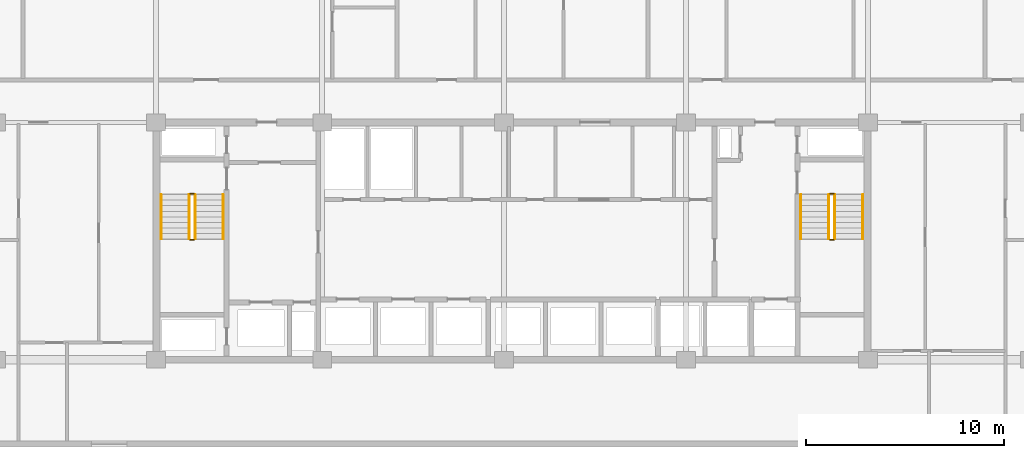
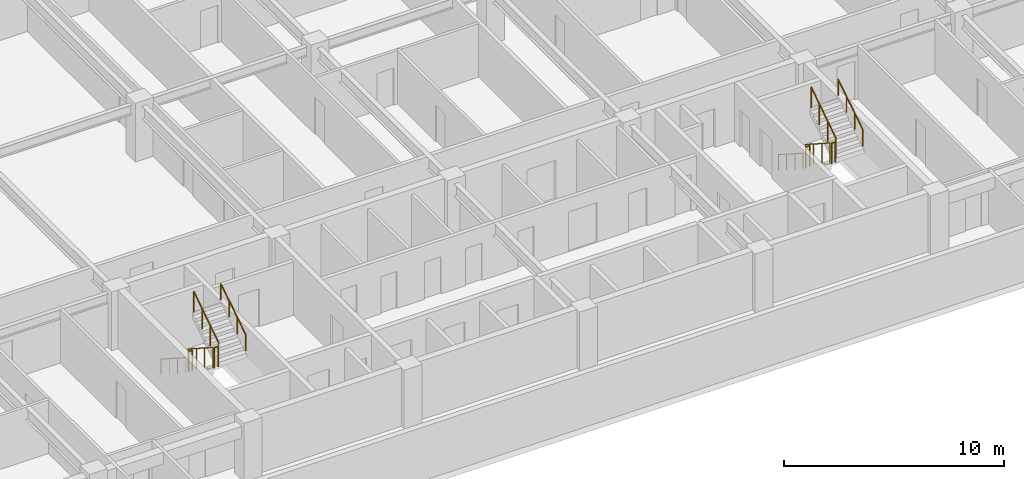
# One storey, part 21 of 22: 12 railings.
"""IFC4 building model written with IfcOpenShell, lengths in metres."""

from ifc_helpers import new_model, si_unit, direction, frame, origin, origin_2d, place, context, subcontext, project, spatial, circle, extrude, material, type_object, element, save


model = new_model("IFC4")

# Units and contexts
model_context = context("Model", 3, precision=1e-05, world=origin(), true_north=direction((0.0, 1.0)))
body_context = subcontext(model_context, "Body", "Model", "MODEL_VIEW")
ifc_project = project(units=[si_unit("LENGTHUNIT", "METRE"), si_unit("AREAUNIT", "SQUARE_METRE"), si_unit("VOLUMEUNIT", "CUBIC_METRE"), si_unit("PLANEANGLEUNIT", "RADIAN"), si_unit("MASSUNIT", "GRAM", prefix="KILO")], contexts=[model_context])

# Site, building, storey
site_placement = place(None, origin())
site = spatial("IfcSite", under=ifc_project, at=site_placement, CompositionType="ELEMENT")
building_placement = place(site_placement, origin())
building = spatial("IfcBuilding", under=site, at=building_placement, Name="Korimba Cascade Residences", CompositionType="ELEMENT")
storey_placement = place(building_placement, frame((0.0, 0.0, 80.800048828125)))
storey = spatial("IfcBuildingStorey", under=building, at=storey_placement, Name="L22", CompositionType="ELEMENT", Elevation=80.800048828125)

# Railings
ifc_material_1 = material(Name="Painted Steel Stairwell Guardrail", Category="steel")
railing_type_1 = type_object("IfcRailingType", Name="RLG-ST-GD1150", PredefinedType="GUARDRAIL", material=ifc_material_1)
railing_1_placement = place(storey_placement, frame((77.77001953125, 63.550048828125, 0.180419921875)))
element("IfcRailing", 1, at=railing_1_placement, inside=storey, type_object=railing_type_1, Name="L22 ST-W1 stair guard 1", PredefinedType="GUARDRAIL", context=body_context, shape_type="SweptSolid", body=[
    extrude(circle(Radius=0.02392578125, at=origin_2d()), frame((0.0, 0.0, 1.1259765625), z_axis=(0.0, -0.840394893359, 0.541974559565), x_axis=(1.0, 0.0, 0.0)), (0.0, 0.0, 1.0), 2.665283203125),
    extrude(circle(Radius=0.02099609375, at=origin_2d()), origin(), (0.0, 0.0, 1.0), 1.101806640625),
    extrude(circle(Radius=0.02099609375, at=origin_2d()), frame((0.0, -0.74658203125, 0.4814453125)), (0.0, 0.0, 1.0), 1.101806640625),
    extrude(circle(Radius=0.02099609375, at=origin_2d()), frame((0.0, -1.493408203125, 0.963134765625)), (0.0, 0.0, 1.0), 1.101806640625),
    extrude(circle(Radius=0.02099609375, at=origin_2d()), frame((0.0, -2.239990234375, 1.444580078125)), (0.0, 0.0, 1.0), 1.101806640625),
])
railing_2_placement = place(storey_placement, frame((77.820068359375, 61.260009765625, 1.625)))
element("IfcRailing", 2, at=railing_2_placement, inside=storey, type_object=railing_type_1, Name="L22 ST-W1 stair guard 2", PredefinedType="GUARDRAIL", context=body_context, shape_type="SweptSolid", body=[
    extrude(circle(Radius=0.02392578125, at=origin_2d()), frame((0.0, 0.0, 1.1259765625), z_axis=(1.0, 0.0, 0.0), x_axis=(0.0, 1.0, 0.0)), (0.0, 0.0, 1.0), 0.199951171875),
    extrude(circle(Radius=0.02099609375, at=origin_2d()), origin(), (0.0, 0.0, 1.0), 1.101806640625),
    extrude(circle(Radius=0.02099609375, at=origin_2d()), frame((0.199951171875, 0.0, 0.0)), (0.0, 0.0, 1.0), 1.101806640625),
])
railing_3_placement = place(storey_placement, frame((78.070068359375, 61.31005859375, 1.805419921875)))
element("IfcRailing", 3, at=railing_3_placement, inside=storey, type_object=railing_type_1, Name="L22 ST-W1 stair guard 3", PredefinedType="GUARDRAIL", context=body_context, shape_type="SweptSolid", body=[
    extrude(circle(Radius=0.02392578125, at=origin_2d()), frame((0.0, 0.0, 1.1259765625), z_axis=(0.0, 0.840394893359, 0.541974559565), x_axis=(-1.0, 0.0, 0.0)), (0.0, 0.0, 1.0), 2.665283203125),
    extrude(circle(Radius=0.02099609375, at=origin_2d()), origin(), (0.0, 0.0, 1.0), 1.101806640625),
    extrude(circle(Radius=0.02099609375, at=origin_2d()), frame((0.0, 0.74658203125, 0.4814453125)), (0.0, 0.0, 1.0), 1.101806640625),
    extrude(circle(Radius=0.02099609375, at=origin_2d()), frame((0.0, 1.493408203125, 0.963134765625)), (0.0, 0.0, 1.0), 1.101806640625),
    extrude(circle(Radius=0.02099609375, at=origin_2d()), frame((0.0, 2.239990234375, 1.444580078125)), (0.0, 0.0, 1.0), 1.101806640625),
])
railing_4_placement = place(storey_placement, frame((77.820068359375, 63.60009765625, 0.0)))
element("IfcRailing", 4, at=railing_4_placement, inside=storey, type_object=railing_type_1, Name="L22 ST-W1 stair guard 4", PredefinedType="GUARDRAIL", context=body_context, shape_type="SweptSolid", body=[
    extrude(circle(Radius=0.02392578125, at=origin_2d()), frame((0.0, 0.0, 1.1259765625), z_axis=(1.0, 0.0, 0.0), x_axis=(0.0, 1.0, 0.0)), (0.0, 0.0, 1.0), 0.199951171875),
    extrude(circle(Radius=0.02099609375, at=origin_2d()), origin(), (0.0, 0.0, 1.0), 1.101806640625),
    extrude(circle(Radius=0.02099609375, at=origin_2d()), frame((0.199951171875, 0.0, 0.0)), (0.0, 0.0, 1.0), 1.101806640625),
])
railing_5_placement = place(storey_placement, frame((110.1298828125, 63.550048828125, 0.180419921875)))
element("IfcRailing", 5, at=railing_5_placement, inside=storey, type_object=railing_type_1, Name="L22 ST-W2 stair guard 1", PredefinedType="GUARDRAIL", context=body_context, shape_type="SweptSolid", body=[
    extrude(circle(Radius=0.02392578125, at=origin_2d()), frame((0.0, 0.0, 1.1259765625), z_axis=(0.0, -0.840394893359, 0.541974559565), x_axis=(1.0, 0.0, 0.0)), (0.0, 0.0, 1.0), 2.665283203125),
    extrude(circle(Radius=0.02099609375, at=origin_2d()), origin(), (0.0, 0.0, 1.0), 1.101806640625),
    extrude(circle(Radius=0.02099609375, at=origin_2d()), frame((0.0, -0.74658203125, 0.4814453125)), (0.0, 0.0, 1.0), 1.101806640625),
    extrude(circle(Radius=0.02099609375, at=origin_2d()), frame((0.0, -1.493408203125, 0.963134765625)), (0.0, 0.0, 1.0), 1.101806640625),
    extrude(circle(Radius=0.02099609375, at=origin_2d()), frame((0.0, -2.239990234375, 1.444580078125)), (0.0, 0.0, 1.0), 1.101806640625),
])
railing_6_placement = place(storey_placement, frame((110.179931640625, 61.260009765625, 1.625)))
element("IfcRailing", 6, at=railing_6_placement, inside=storey, type_object=railing_type_1, Name="L22 ST-W2 stair guard 2", PredefinedType="GUARDRAIL", context=body_context, shape_type="SweptSolid", body=[
    extrude(circle(Radius=0.02392578125, at=origin_2d()), frame((0.0, 0.0, 1.1259765625), z_axis=(1.0, 0.0, 0.0), x_axis=(0.0, 1.0, 0.0)), (0.0, 0.0, 1.0), 0.199951171875),
    extrude(circle(Radius=0.02099609375, at=origin_2d()), origin(), (0.0, 0.0, 1.0), 1.101806640625),
    extrude(circle(Radius=0.02099609375, at=origin_2d()), frame((0.199951171875, 0.0, 0.0)), (0.0, 0.0, 1.0), 1.101806640625),
])
railing_7_placement = place(storey_placement, frame((110.429931640625, 61.31005859375, 1.805419921875)))
element("IfcRailing", 7, at=railing_7_placement, inside=storey, type_object=railing_type_1, Name="L22 ST-W2 stair guard 3", PredefinedType="GUARDRAIL", context=body_context, shape_type="SweptSolid", body=[
    extrude(circle(Radius=0.02392578125, at=origin_2d()), frame((0.0, 0.0, 1.1259765625), z_axis=(0.0, 0.840394893359, 0.541974559565), x_axis=(-1.0, 0.0, 0.0)), (0.0, 0.0, 1.0), 2.665283203125),
    extrude(circle(Radius=0.02099609375, at=origin_2d()), origin(), (0.0, 0.0, 1.0), 1.101806640625),
    extrude(circle(Radius=0.02099609375, at=origin_2d()), frame((0.0, 0.74658203125, 0.4814453125)), (0.0, 0.0, 1.0), 1.101806640625),
    extrude(circle(Radius=0.02099609375, at=origin_2d()), frame((0.0, 1.493408203125, 0.963134765625)), (0.0, 0.0, 1.0), 1.101806640625),
    extrude(circle(Radius=0.02099609375, at=origin_2d()), frame((0.0, 2.239990234375, 1.444580078125)), (0.0, 0.0, 1.0), 1.101806640625),
])
railing_8_placement = place(storey_placement, frame((110.179931640625, 63.60009765625, 0.0)))
element("IfcRailing", 8, at=railing_8_placement, inside=storey, type_object=railing_type_1, Name="L22 ST-W2 stair guard 4", PredefinedType="GUARDRAIL", context=body_context, shape_type="SweptSolid", body=[
    extrude(circle(Radius=0.02392578125, at=origin_2d()), frame((0.0, 0.0, 1.1259765625), z_axis=(1.0, 0.0, 0.0), x_axis=(0.0, 1.0, 0.0)), (0.0, 0.0, 1.0), 0.199951171875),
    extrude(circle(Radius=0.02099609375, at=origin_2d()), origin(), (0.0, 0.0, 1.0), 1.101806640625),
    extrude(circle(Radius=0.02099609375, at=origin_2d()), frame((0.199951171875, 0.0, 0.0)), (0.0, 0.0, 1.0), 1.101806640625),
])
ifc_material_2 = material(Name="Brushed Stainless Steel Handrail", Category="steel")
railing_type_2 = type_object("IfcRailingType", Name="RLG-ST-HR900", PredefinedType="HANDRAIL", material=ifc_material_2)
railing_9_placement = place(storey_placement, frame((76.35009765625, 63.550048828125, 0.364990234375)))
element("IfcRailing", 9, at=railing_9_placement, inside=storey, type_object=railing_type_2, Name="L22 ST-W1 stair handrail 1", PredefinedType="HANDRAIL", context=body_context, shape_type="SweptSolid", body=[
    extrude(circle(Radius=0.02392578125, at=origin_2d()), frame((0.0, 0.0, 0.8759765625), z_axis=(0.0, -0.840436612492, 0.541909863706), x_axis=(1.0, 0.0, 0.0)), (0.0, 0.0, 1.0), 2.665283203125),
    extrude(circle(Radius=0.02099609375, at=origin_2d()), origin(), (0.0, 0.0, 1.0), 0.851806640625),
    extrude(circle(Radius=0.02099609375, at=origin_2d()), frame((0.0, -0.74658203125, 0.4814453125)), (0.0, 0.0, 1.0), 0.851806640625),
    extrude(circle(Radius=0.02099609375, at=origin_2d()), frame((0.0, -1.493408203125, 0.962890625)), (0.0, 0.0, 1.0), 0.851806640625),
    extrude(circle(Radius=0.02099609375, at=origin_2d()), frame((0.0, -2.239990234375, 1.4443359375)), (0.0, 0.0, 1.0), 0.851806640625),
])
railing_10_placement = place(storey_placement, frame((79.489990234375, 61.31005859375, 1.989990234375)))
element("IfcRailing", 10, at=railing_10_placement, inside=storey, type_object=railing_type_2, Name="L22 ST-W1 stair handrail 2", PredefinedType="HANDRAIL", context=body_context, shape_type="SweptSolid", body=[
    extrude(circle(Radius=0.02392578125, at=origin_2d()), frame((0.0, 0.0, 0.8759765625), z_axis=(0.0, 0.840436612492, 0.541909863706), x_axis=(-1.0, 0.0, 0.0)), (0.0, 0.0, 1.0), 2.665283203125),
    extrude(circle(Radius=0.02099609375, at=origin_2d()), origin(), (0.0, 0.0, 1.0), 0.851806640625),
    extrude(circle(Radius=0.02099609375, at=origin_2d()), frame((0.0, 0.74658203125, 0.4814453125)), (0.0, 0.0, 1.0), 0.851806640625),
    extrude(circle(Radius=0.02099609375, at=origin_2d()), frame((0.0, 1.493408203125, 0.962890625)), (0.0, 0.0, 1.0), 0.851806640625),
    extrude(circle(Radius=0.02099609375, at=origin_2d()), frame((0.0, 2.239990234375, 1.4443359375)), (0.0, 0.0, 1.0), 0.851806640625),
])
railing_11_placement = place(storey_placement, frame((108.7099609375, 63.550048828125, 0.364990234375)))
element("IfcRailing", 11, at=railing_11_placement, inside=storey, type_object=railing_type_2, Name="L22 ST-W2 stair handrail 1", PredefinedType="HANDRAIL", context=body_context, shape_type="SweptSolid", body=[
    extrude(circle(Radius=0.02392578125, at=origin_2d()), frame((0.0, 0.0, 0.8759765625), z_axis=(0.0, -0.840436612492, 0.541909863706), x_axis=(1.0, 0.0, 0.0)), (0.0, 0.0, 1.0), 2.665283203125),
    extrude(circle(Radius=0.02099609375, at=origin_2d()), origin(), (0.0, 0.0, 1.0), 0.851806640625),
    extrude(circle(Radius=0.02099609375, at=origin_2d()), frame((0.0, -0.74658203125, 0.4814453125)), (0.0, 0.0, 1.0), 0.851806640625),
    extrude(circle(Radius=0.02099609375, at=origin_2d()), frame((0.0, -1.493408203125, 0.962890625)), (0.0, 0.0, 1.0), 0.851806640625),
    extrude(circle(Radius=0.02099609375, at=origin_2d()), frame((0.0, -2.239990234375, 1.4443359375)), (0.0, 0.0, 1.0), 0.851806640625),
])
railing_12_placement = place(storey_placement, frame((111.85009765625, 61.31005859375, 1.989990234375)))
element("IfcRailing", 12, at=railing_12_placement, inside=storey, type_object=railing_type_2, Name="L22 ST-W2 stair handrail 2", PredefinedType="HANDRAIL", context=body_context, shape_type="SweptSolid", body=[
    extrude(circle(Radius=0.02392578125, at=origin_2d()), frame((0.0, 0.0, 0.8759765625), z_axis=(0.0, 0.840436612492, 0.541909863706), x_axis=(-1.0, 0.0, 0.0)), (0.0, 0.0, 1.0), 2.665283203125),
    extrude(circle(Radius=0.02099609375, at=origin_2d()), origin(), (0.0, 0.0, 1.0), 0.851806640625),
    extrude(circle(Radius=0.02099609375, at=origin_2d()), frame((0.0, 0.74658203125, 0.4814453125)), (0.0, 0.0, 1.0), 0.851806640625),
    extrude(circle(Radius=0.02099609375, at=origin_2d()), frame((0.0, 1.493408203125, 0.962890625)), (0.0, 0.0, 1.0), 0.851806640625),
    extrude(circle(Radius=0.02099609375, at=origin_2d()), frame((0.0, 2.239990234375, 1.4443359375)), (0.0, 0.0, 1.0), 0.851806640625),
])

save(model, "model.ifc")
